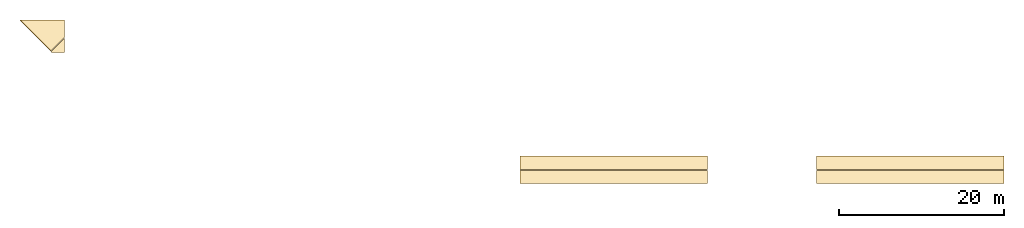
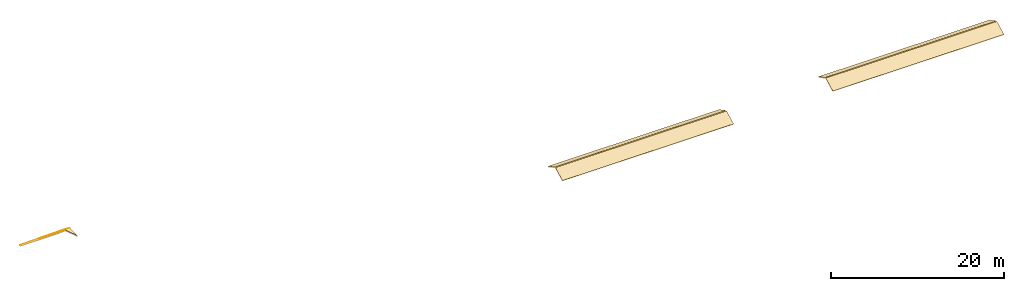
# One storey, part 2 of 2: 6 coverings.
"""IFC4 building model written with IfcOpenShell, lengths in metres."""

from ifc_helpers import new_model, si_unit, direction, frame, origin, place, context, subcontext, project, spatial, polyline, outline, extrude, material, layer, layer_set, type_object, element, save


model = new_model("IFC4")

# Units and contexts
model_context = context("Model", 3, precision=1e-05, world=origin(), true_north=direction((0.0, 1.0)))
body_context = subcontext(model_context, "Body", "Model", "MODEL_VIEW")
ifc_project = project(units=[si_unit("LENGTHUNIT", "METRE"), si_unit("AREAUNIT", "SQUARE_METRE"), si_unit("VOLUMEUNIT", "CUBIC_METRE"), si_unit("PLANEANGLEUNIT", "RADIAN"), si_unit("MASSUNIT", "GRAM", prefix="KILO")], contexts=[model_context])

# Site, building, storey
site_placement = place(None, origin())
site = spatial("IfcSite", under=ifc_project, at=site_placement, CompositionType="ELEMENT")
building_placement = place(site_placement, origin())
building = spatial("IfcBuilding", under=site, at=building_placement, Name="Mazhai Court Health Centre", CompositionType="ELEMENT")
storey_placement = place(building_placement, frame((0.0, 0.0, 22.449951171875)))
storey = spatial("IfcBuildingStorey", under=building, at=storey_placement, Name="ROOF", CompositionType="ELEMENT", Elevation=22.449951171875)

# Coverings
ifc_material_1 = material(Name="Clay roof tile")
ifc_layer_1 = layer(ifc_material_1, 0.030029296875)
ifc_layer_set_1 = layer_set([ifc_layer_1], Name="ROOFING CLAY ROOF TILE 30")
covering_type_1 = type_object("IfcCoveringType", Name="ROOFING CLAY ROOF TILE 30", PredefinedType="ROOFING", material=ifc_layer_set_1)
covering_1_placement = place(storey_placement, frame((13.48388671875, 35.0, 3.381591796875), z_axis=(0.645027178347, 0.0, 0.764159629393), x_axis=(0.60714184635, 0.607235009131, -0.512488460452)))
element("IfcCovering", 1, at=covering_1_placement, inside=storey, type_object=covering_type_1, Name="Roof covering RV2-RC2", PredefinedType="ROOFING", context=body_context, shape_type="SweptSolid", body=[
    extrude(outline(polyline([(0.0, 0.0), (2.6205811091613436, 1.1102230246251565e-16), (1.5783784445640239, -1.363645406579859), (-0.07590437614136954, -0.09931528423455019), (0.0, 0.0)])), origin(), (0.0, 0.0, -1.0), 0.030029296875),
])
covering_2_placement = place(storey_placement, frame((9.673828125, 38.81005859375, 0.23681640625), z_axis=(-7.290168e-06, 0.644956023501, 0.764219685494), x_axis=(0.999999999973, 4.701838e-06, 5.57129e-06)))
element("IfcCovering", 2, at=covering_2_placement, inside=storey, type_object=covering_type_1, Name="Roof covering RV2-RC4", PredefinedType="ROOFING", context=body_context, shape_type="SweptSolid", body=[
    extrude(outline(polyline([(0.0, 0.0), (5.401123046731474, 2.287464586438829e-21), (5.401123047018524, -2.684169179799509), (3.726074218561963, -4.875967675523157), (0.0, 0.0)])), origin(), (0.0, 0.0, -1.0), 0.030029296875),
])
ifc_material_2 = material(Name="Zinc standing seam")
ifc_layer_2 = layer(ifc_material_2, 0.02001953125)
ifc_layer_set_2 = layer_set([ifc_layer_2], Name="ROOFING ZINC STANDING SEAM 20")
covering_type_2 = type_object("IfcCoveringType", Name="ROOFING ZINC STANDING SEAM 20", PredefinedType="ROOFING", material=ifc_layer_set_2)
for number, where, z_axis, x_axis, name in (
    (3, (70.39990234375, 20.543701171875, 0.96875), (0.0, -0.4694473164, 0.882960484464), (1.0, 0.0, 0.0), "Roof covering RV4W-RC1"),
    (4, (93.199951171875, 20.65625, 0.96875), (0.0, 0.4694473164, 0.882960484464), (-1.0, 0.0, 0.0), "Roof covering RV4W-RC2"),
    (5, (129.199951171875, 20.65625, 0.96875), (0.0, 0.4694473164, 0.882960484464), (-1.0, 0.0, 0.0), "Roof covering RV4E-RC2"),
    (6, (106.39990234375, 20.543701171875, 0.96875), (0.0, -0.4694473164, 0.882960484464), (1.0, 0.0, 0.0), "Roof covering RV4E-RC1"),
):
    element("IfcCovering", number, at=place(storey_placement, frame(where, z_axis=z_axis, x_axis=x_axis)), inside=storey, type_object=covering_type_2, Name=name, PredefinedType="ROOFING", context=body_context, shape_type="SweptSolid", body=[
        extrude(outline(polyline([(0.0, 0.0), (22.800048828125, 0.0), (22.800048828125, -1.8332104009536334), (0.0, -1.8332104009536334), (0.0, 0.0)])), origin(), (0.0, 0.0, -1.0), 0.02001953125),
    ])

save(model, "model.ifc")
